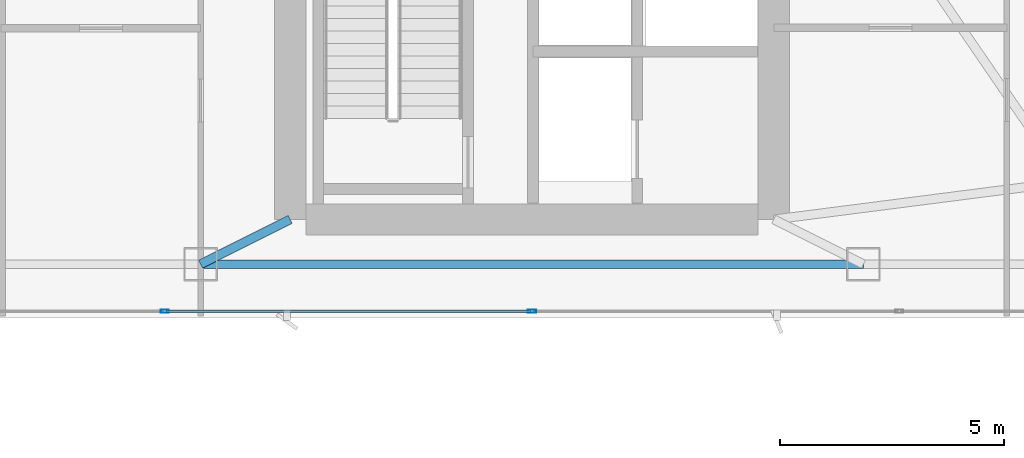
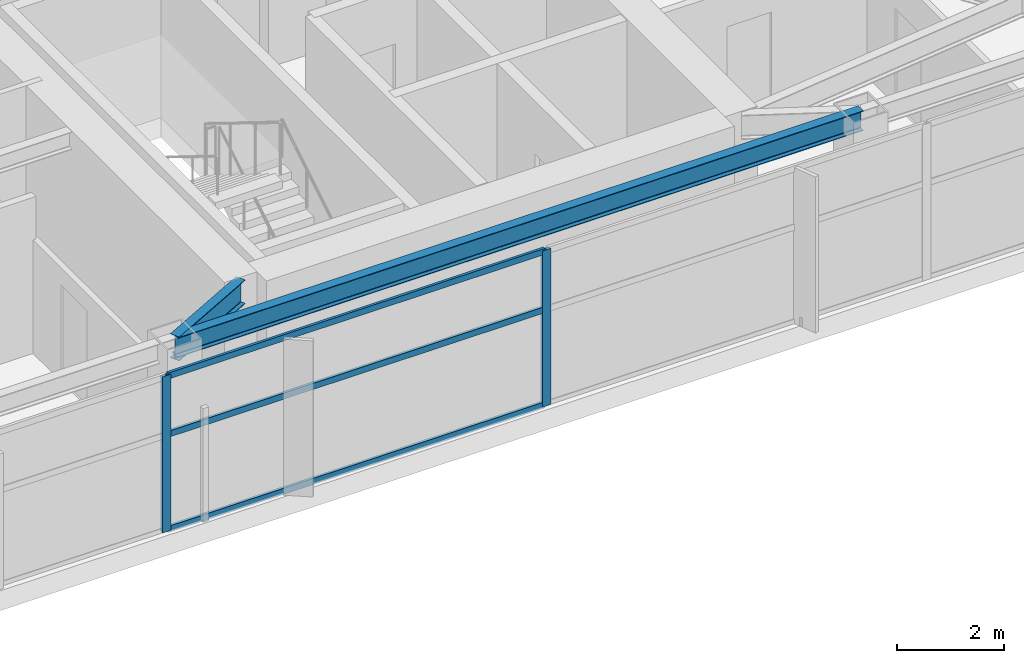
# One storey, part 6 of 28: 5 members, 2 beams, 1 element without a shape of its own.
"""IFC4 building model written with IfcOpenShell, lengths in metres."""

from ifc_helpers import new_model, si_unit, direction, frame, origin, origin_2d, place, context, subcontext, project, spatial, hollow_rectangle, i_section, extrude, material, layer, layer_set, material_profile, profile_set, type_object, element, aggregate, save


model = new_model("IFC4")

# Units and contexts
model_context = context("Model", 3, precision=1e-05, world=origin(), true_north=direction((0.0, 1.0)))
body_context = subcontext(model_context, "Body", "Model", "MODEL_VIEW")
ifc_project = project(units=[si_unit("LENGTHUNIT", "METRE"), si_unit("AREAUNIT", "SQUARE_METRE"), si_unit("VOLUMEUNIT", "CUBIC_METRE"), si_unit("PLANEANGLEUNIT", "RADIAN"), si_unit("MASSUNIT", "GRAM", prefix="KILO")], contexts=[model_context])

# Site, building, storey
site_placement = place(None, origin())
site = spatial("IfcSite", under=ifc_project, at=site_placement, CompositionType="ELEMENT")
building_placement = place(site_placement, origin())
building = spatial("IfcBuilding", under=site, at=building_placement, Name="Calvorn Quay Hotel", CompositionType="ELEMENT")
storey_placement = place(building_placement, frame((0.0, 0.0, 243.800048828125)))
storey = spatial("IfcBuildingStorey", under=building, at=storey_placement, Name="L60", CompositionType="ELEMENT", Elevation=243.800048828125)

# Beams
ifc_material_1 = material(Name="Steel Q355B", Category="steel")
ifc_material_profile_1 = material_profile(ifc_material_1, i_section(OverallWidth=0.199951171875, OverallDepth=0.550048828125, WebThickness=0.010009765625, FlangeThickness=0.01611328125, FilletRadius=0.01806640625, at=origin_2d()), Name="HN550x200x10x16")
ifc_profile_set_1 = profile_set([ifc_material_profile_1], Name="Steel Q355B")
beam_type_1 = type_object("IfcBeamType", Name="BM-GIRD-UPP", PredefinedType="BEAM", material=ifc_profile_set_1)
beam_1_placement = place(storey_placement, frame((19.60009765625, 3.60009765625, 3.264892578125), z_axis=(0.894427191, 0.4472135955, 0.0), x_axis=(-0.4472135955, 0.894427191, 0.0)))
element("IfcBeam", 1, at=beam_1_placement, inside=storey, type_object=beam_type_1, Name="Beam BG-L60-S2", PredefinedType="BEAM", context=body_context, shape_type="SweptSolid", body=[
    extrude(i_section(OverallWidth=0.199951171875, OverallDepth=0.550048828125, WebThickness=0.010009765625, FlangeThickness=0.01611328125, FilletRadius=0.01806640625, at=origin_2d()), origin(), (0.0, 0.0, 1.0), 2.236083984375),
])
ifc_material_2 = material(Name="Steel Q355B", Category="steel")
ifc_material_profile_2 = material_profile(ifc_material_2, i_section(OverallWidth=0.199951171875, OverallDepth=0.449951171875, WebThickness=0.009033203125, FlangeThickness=0.013916015625, FilletRadius=0.01611328125, at=origin_2d()), Name="HN450x200x9x14")
ifc_profile_set_2 = profile_set([ifc_material_profile_2], Name="Steel Q355B")
beam_type_2 = type_object("IfcBeamType", Name="BM-SPANDREL-Z3", PredefinedType="SPANDREL", material=ifc_profile_set_2)
beam_2_placement = place(storey_placement, frame((19.60009765625, 3.60009765625, 3.31494140625), z_axis=(1.0, 0.0, 0.0), x_axis=(0.0, 1.0, 0.0)))
element("IfcBeam", 2, at=beam_2_placement, inside=storey, type_object=beam_type_2, Name="Beam BSP-L60-S3", PredefinedType="SPANDREL", context=body_context, shape_type="SweptSolid", body=[
    extrude(i_section(OverallWidth=0.199951171875, OverallDepth=0.449951171875, WebThickness=0.009033203125, FlangeThickness=0.013916015625, FilletRadius=0.01611328125, at=origin_2d()), origin(), (0.0, 0.0, 1.0), 14.7998046875),
])

# Curtain wall, members
ifc_material_3 = material(Name="Champagne Bronze Anodised Aluminium and Low-E Glass", Category="aluminium")
ifc_layer = layer(ifc_material_3, 0.219970703125)
ifc_layer_set = layer_set([ifc_layer], Name="CW-SYS-Z3")
curtain_wall_type = type_object("IfcCurtainWallType", Name="CW-SYS-Z3", PredefinedType="NOTDEFINED", material=ifc_layer_set)
curtain_wall_placement = place(storey_placement, origin())
curtain_wall = element("IfcCurtainWall", 3, at=curtain_wall_placement, inside=storey, type_object=curtain_wall_type, Name="Tower South Waterfront Curtain Wall (L60)", PredefinedType="NOTDEFINED")
ifc_material_4 = material(Name="Champagne Bronze Anodised Aluminium 6063-T6", Category="aluminium")
ifc_material_profile_3 = material_profile(ifc_material_4, hollow_rectangle(XDim=0.068115234375, YDim=0.18505859375, WallThickness=0.00390625, at=origin_2d()), Name="ALU-M185x68x4")
ifc_profile_set_3 = profile_set([ifc_material_profile_3], Name="Champagne Bronze Anodised Aluminium 6063-T6")
member_type_1 = type_object("IfcMemberType", Name="CW-SYS-Z3-MUL", PredefinedType="MULLION", material=ifc_profile_set_3)
member_1_placement = place(storey_placement, frame((18.800048828125, 2.550048828125, 0.0), z_axis=(0.0, 0.0, 1.0), x_axis=(0.0, 1.0, 0.0)))
member_1 = element("IfcMember", 4, at=member_1_placement, type_object=member_type_1, Name="CW-L60-S mullion 2", PredefinedType="MULLION", context=body_context, shape_type="SweptSolid", body=[
    extrude(hollow_rectangle(XDim=0.068115234375, YDim=0.18505859375, WallThickness=0.00390625, at=origin_2d()), origin(), (0.0, 0.0, 1.0), 3.56005859375),
])
member_2_placement = place(storey_placement, frame((27.0, 2.550048828125, 0.0), z_axis=(0.0, 0.0, 1.0), x_axis=(0.0, 1.0, 0.0)))
member_2 = element("IfcMember", 5, at=member_2_placement, type_object=member_type_1, Name="CW-L60-S mullion 3", PredefinedType="MULLION", context=body_context, shape_type="SweptSolid", body=[
    extrude(hollow_rectangle(XDim=0.068115234375, YDim=0.18505859375, WallThickness=0.00390625, at=origin_2d()), origin(), (0.0, 0.0, 1.0), 3.56005859375),
])
ifc_material_5 = material(Name="Champagne Bronze Anodised Aluminium 6063-T6", Category="aluminium")
ifc_material_profile_4 = material_profile(ifc_material_5, hollow_rectangle(XDim=0.05810546875, YDim=0.139892578125, WallThickness=0.003173828125, at=origin_2d()), Name="ALU-T140x58x3.2")
ifc_profile_set_4 = profile_set([ifc_material_profile_4], Name="Champagne Bronze Anodised Aluminium 6063-T6")
member_type_2 = type_object("IfcMemberType", Name="CW-SYS-Z3-TRN", PredefinedType="USERDEFINED", material=ifc_profile_set_4)
member_3_placement = place(storey_placement, frame((18.830078125, 2.550048828125, 0.030029296875), z_axis=(1.0, 0.0, 0.0), x_axis=(0.0, 1.0, 0.0)))
member_3 = element("IfcMember", 6, at=member_3_placement, type_object=member_type_2, Name="CW-L60-S transom 2.1", ObjectType="TRANSOM", PredefinedType="USERDEFINED", context=body_context, shape_type="SweptSolid", body=[
    extrude(hollow_rectangle(XDim=0.05810546875, YDim=0.139892578125, WallThickness=0.003173828125, at=origin_2d()), origin(), (0.0, 0.0, 1.0), 8.139892578125),
])
member_4_placement = place(storey_placement, frame((18.830078125, 2.550048828125, 2.199951171875), z_axis=(1.0, 0.0, 0.0), x_axis=(0.0, 1.0, 0.0)))
member_4 = element("IfcMember", 7, at=member_4_placement, type_object=member_type_2, Name="CW-L60-S transom 2.2", ObjectType="TRANSOM", PredefinedType="USERDEFINED", context=body_context, shape_type="SweptSolid", body=[
    extrude(hollow_rectangle(XDim=0.05810546875, YDim=0.139892578125, WallThickness=0.003173828125, at=origin_2d()), origin(), (0.0, 0.0, 1.0), 8.139892578125),
])
member_5_placement = place(storey_placement, frame((18.830078125, 2.550048828125, 3.530029296875), z_axis=(1.0, 0.0, 0.0), x_axis=(0.0, 1.0, 0.0)))
member_5 = element("IfcMember", 8, at=member_5_placement, type_object=member_type_2, Name="CW-L60-S transom 2.3", ObjectType="TRANSOM", PredefinedType="USERDEFINED", context=body_context, shape_type="SweptSolid", body=[
    extrude(hollow_rectangle(XDim=0.05810546875, YDim=0.139892578125, WallThickness=0.003173828125, at=origin_2d()), origin(), (0.0, 0.0, 1.0), 8.139892578125),
])
aggregate(curtain_wall, [member_1, member_2, member_3, member_4, member_5])

save(model, "model.ifc")
